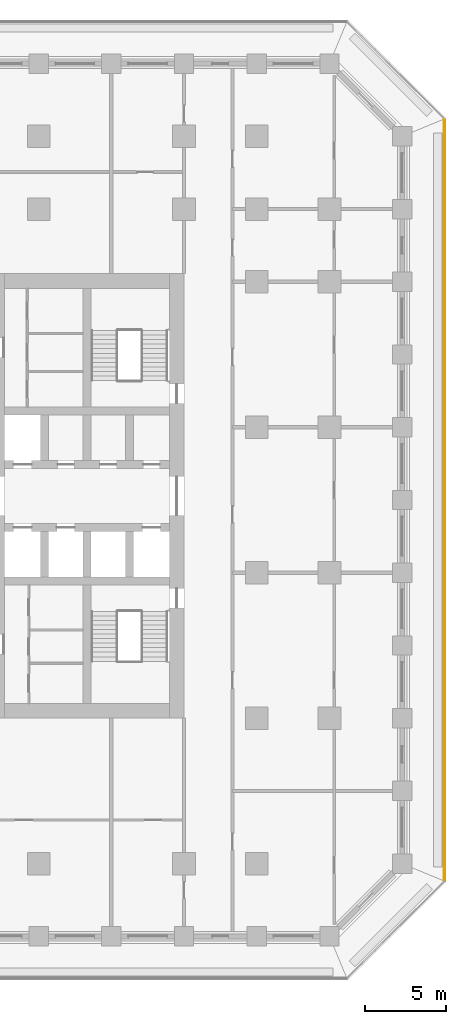
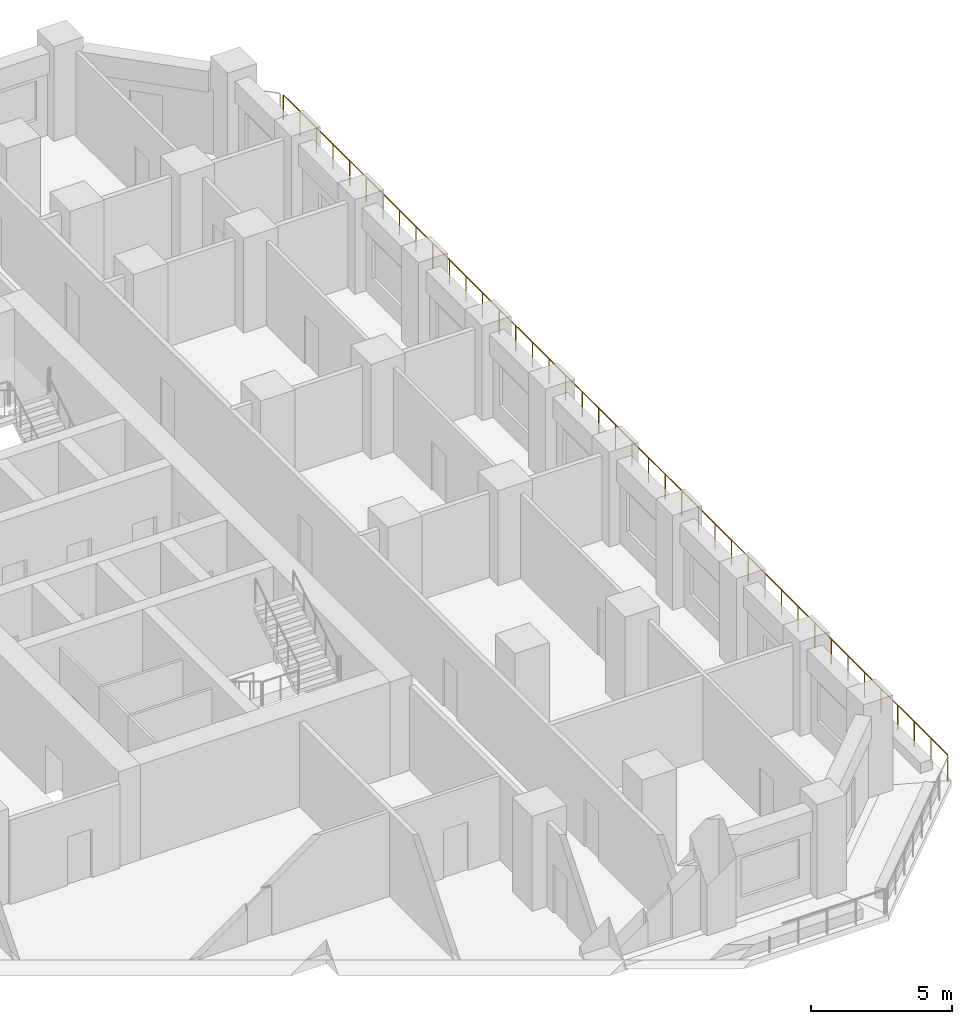
# One storey, part 13 of 17: 1 railing.
"""IFC4 building model written with IfcOpenShell, lengths in metres."""

from ifc_helpers import new_model, si_unit, direction, frame, origin, origin_2d, place, context, subcontext, project, spatial, circle, extrude, material, type_object, element, save


model = new_model("IFC4")

# Units and contexts
model_context = context("Model", 3, precision=1e-05, world=origin(), true_north=direction((0.0, 1.0)))
body_context = subcontext(model_context, "Body", "Model", "MODEL_VIEW")
ifc_project = project(units=[si_unit("LENGTHUNIT", "METRE"), si_unit("AREAUNIT", "SQUARE_METRE"), si_unit("VOLUMEUNIT", "CUBIC_METRE"), si_unit("PLANEANGLEUNIT", "RADIAN"), si_unit("MASSUNIT", "GRAM", prefix="KILO")], contexts=[model_context])

# Site, building, storey
site_placement = place(None, origin())
site = spatial("IfcSite", under=ifc_project, at=site_placement, CompositionType="ELEMENT")
building_placement = place(site_placement, origin())
building = spatial("IfcBuilding", under=site, at=building_placement, Name="Corbel Stack Research Tower", CompositionType="ELEMENT")
storey_placement = place(building_placement, frame((0.0, 0.0, 86.10009765625)))
storey = spatial("IfcBuildingStorey", under=building, at=storey_placement, Name="L19", CompositionType="ELEMENT", Elevation=86.10009765625)

# Railing
ifc_material = material(Name="Powder-coated steel guard", Category="steel")
railing_type = type_object("IfcRailingType", Name="Steel and glass guard 1100", PredefinedType="GUARDRAIL", material=ifc_material)
railing_placement = place(storey_placement, frame((34.10009765625, -19.00537109375, 0.0)))
element("IfcRailing", 1, at=railing_placement, inside=storey, type_object=railing_type, Name="Loggia guard L19 E", PredefinedType="GUARDRAIL", context=body_context, shape_type="SweptSolid", body=[
    extrude(circle(Radius=0.02392578125, at=origin_2d()), frame((0.0, 0.0, 1.076171875), z_axis=(0.0, 1.0, 0.0), x_axis=(-1.0, 0.0, 0.0)), (0.0, 0.0, 1.0), 47.0107421875),
    extrude(circle(Radius=0.02099609375, at=origin_2d()), origin(), (0.0, 0.0, 1.0), 1.052001953125),
    extrude(circle(Radius=0.02099609375, at=origin_2d()), frame((0.0, 1.17529296875, 0.0)), (0.0, 0.0, 1.0), 1.052001953125),
    extrude(circle(Radius=0.02099609375, at=origin_2d()), frame((0.0, 2.3505859375, 0.0)), (0.0, 0.0, 1.0), 1.052001953125),
    extrude(circle(Radius=0.02099609375, at=origin_2d()), frame((0.0, 3.52587890625, 0.0)), (0.0, 0.0, 1.0), 1.052001953125),
    extrude(circle(Radius=0.02099609375, at=origin_2d()), frame((0.0, 4.701171875, 0.0)), (0.0, 0.0, 1.0), 1.052001953125),
    extrude(circle(Radius=0.02099609375, at=origin_2d()), frame((0.0, 5.87646484375, 0.0)), (0.0, 0.0, 1.0), 1.052001953125),
    extrude(circle(Radius=0.02099609375, at=origin_2d()), frame((0.0, 7.051513671875, 0.0)), (0.0, 0.0, 1.0), 1.052001953125),
    extrude(circle(Radius=0.02099609375, at=origin_2d()), frame((0.0, 8.226806640625, 0.0)), (0.0, 0.0, 1.0), 1.052001953125),
    extrude(circle(Radius=0.02099609375, at=origin_2d()), frame((0.0, 9.402099609375, 0.0)), (0.0, 0.0, 1.0), 1.052001953125),
    extrude(circle(Radius=0.02099609375, at=origin_2d()), frame((0.0, 10.577392578125, 0.0)), (0.0, 0.0, 1.0), 1.052001953125),
    extrude(circle(Radius=0.02099609375, at=origin_2d()), frame((0.0, 11.752685546875, 0.0)), (0.0, 0.0, 1.0), 1.052001953125),
    extrude(circle(Radius=0.02099609375, at=origin_2d()), frame((0.0, 12.927978515625, 0.0)), (0.0, 0.0, 1.0), 1.052001953125),
    extrude(circle(Radius=0.02099609375, at=origin_2d()), frame((0.0, 14.103271484375, 0.0)), (0.0, 0.0, 1.0), 1.052001953125),
    extrude(circle(Radius=0.02099609375, at=origin_2d()), frame((0.0, 15.278564453125, 0.0)), (0.0, 0.0, 1.0), 1.052001953125),
    extrude(circle(Radius=0.02099609375, at=origin_2d()), frame((0.0, 16.453857421875, 0.0)), (0.0, 0.0, 1.0), 1.052001953125),
    extrude(circle(Radius=0.02099609375, at=origin_2d()), frame((0.0, 17.62890625, 0.0)), (0.0, 0.0, 1.0), 1.052001953125),
    extrude(circle(Radius=0.02099609375, at=origin_2d()), frame((0.0, 18.80419921875, 0.0)), (0.0, 0.0, 1.0), 1.052001953125),
    extrude(circle(Radius=0.02099609375, at=origin_2d()), frame((0.0, 19.9794921875, 0.0)), (0.0, 0.0, 1.0), 1.052001953125),
    extrude(circle(Radius=0.02099609375, at=origin_2d()), frame((0.0, 21.15478515625, 0.0)), (0.0, 0.0, 1.0), 1.052001953125),
    extrude(circle(Radius=0.02099609375, at=origin_2d()), frame((0.0, 22.330078125, 0.0)), (0.0, 0.0, 1.0), 1.052001953125),
    extrude(circle(Radius=0.02099609375, at=origin_2d()), frame((0.0, 23.50537109375, 0.0)), (0.0, 0.0, 1.0), 1.052001953125),
    extrude(circle(Radius=0.02099609375, at=origin_2d()), frame((0.0, 24.6806640625, 0.0)), (0.0, 0.0, 1.0), 1.052001953125),
    extrude(circle(Radius=0.02099609375, at=origin_2d()), frame((0.0, 25.85595703125, 0.0)), (0.0, 0.0, 1.0), 1.052001953125),
    extrude(circle(Radius=0.02099609375, at=origin_2d()), frame((0.0, 27.03125, 0.0)), (0.0, 0.0, 1.0), 1.052001953125),
    extrude(circle(Radius=0.02099609375, at=origin_2d()), frame((0.0, 28.20654296875, 0.0)), (0.0, 0.0, 1.0), 1.052001953125),
    extrude(circle(Radius=0.02099609375, at=origin_2d()), frame((0.0, 29.3818359375, 0.0)), (0.0, 0.0, 1.0), 1.052001953125),
    extrude(circle(Radius=0.02099609375, at=origin_2d()), frame((0.0, 30.556884765625, 0.0)), (0.0, 0.0, 1.0), 1.052001953125),
    extrude(circle(Radius=0.02099609375, at=origin_2d()), frame((0.0, 31.732177734375, 0.0)), (0.0, 0.0, 1.0), 1.052001953125),
    extrude(circle(Radius=0.02099609375, at=origin_2d()), frame((0.0, 32.907470703125, 0.0)), (0.0, 0.0, 1.0), 1.052001953125),
    extrude(circle(Radius=0.02099609375, at=origin_2d()), frame((0.0, 34.082763671875, 0.0)), (0.0, 0.0, 1.0), 1.052001953125),
    extrude(circle(Radius=0.02099609375, at=origin_2d()), frame((0.0, 35.258056640625, 0.0)), (0.0, 0.0, 1.0), 1.052001953125),
    extrude(circle(Radius=0.02099609375, at=origin_2d()), frame((0.0, 36.433349609375, 0.0)), (0.0, 0.0, 1.0), 1.052001953125),
    extrude(circle(Radius=0.02099609375, at=origin_2d()), frame((0.0, 37.608642578125, 0.0)), (0.0, 0.0, 1.0), 1.052001953125),
    extrude(circle(Radius=0.02099609375, at=origin_2d()), frame((0.0, 38.783935546875, 0.0)), (0.0, 0.0, 1.0), 1.052001953125),
    extrude(circle(Radius=0.02099609375, at=origin_2d()), frame((0.0, 39.959228515625, 0.0)), (0.0, 0.0, 1.0), 1.052001953125),
    extrude(circle(Radius=0.02099609375, at=origin_2d()), frame((0.0, 41.13427734375, 0.0)), (0.0, 0.0, 1.0), 1.052001953125),
    extrude(circle(Radius=0.02099609375, at=origin_2d()), frame((0.0, 42.3095703125, 0.0)), (0.0, 0.0, 1.0), 1.052001953125),
    extrude(circle(Radius=0.02099609375, at=origin_2d()), frame((0.0, 43.48486328125, 0.0)), (0.0, 0.0, 1.0), 1.052001953125),
    extrude(circle(Radius=0.02099609375, at=origin_2d()), frame((0.0, 44.66015625, 0.0)), (0.0, 0.0, 1.0), 1.052001953125),
    extrude(circle(Radius=0.02099609375, at=origin_2d()), frame((0.0, 45.83544921875, 0.0)), (0.0, 0.0, 1.0), 1.052001953125),
    extrude(circle(Radius=0.02099609375, at=origin_2d()), frame((0.0, 47.0107421875, 0.0)), (0.0, 0.0, 1.0), 1.052001953125),
])

save(model, "model.ifc")
